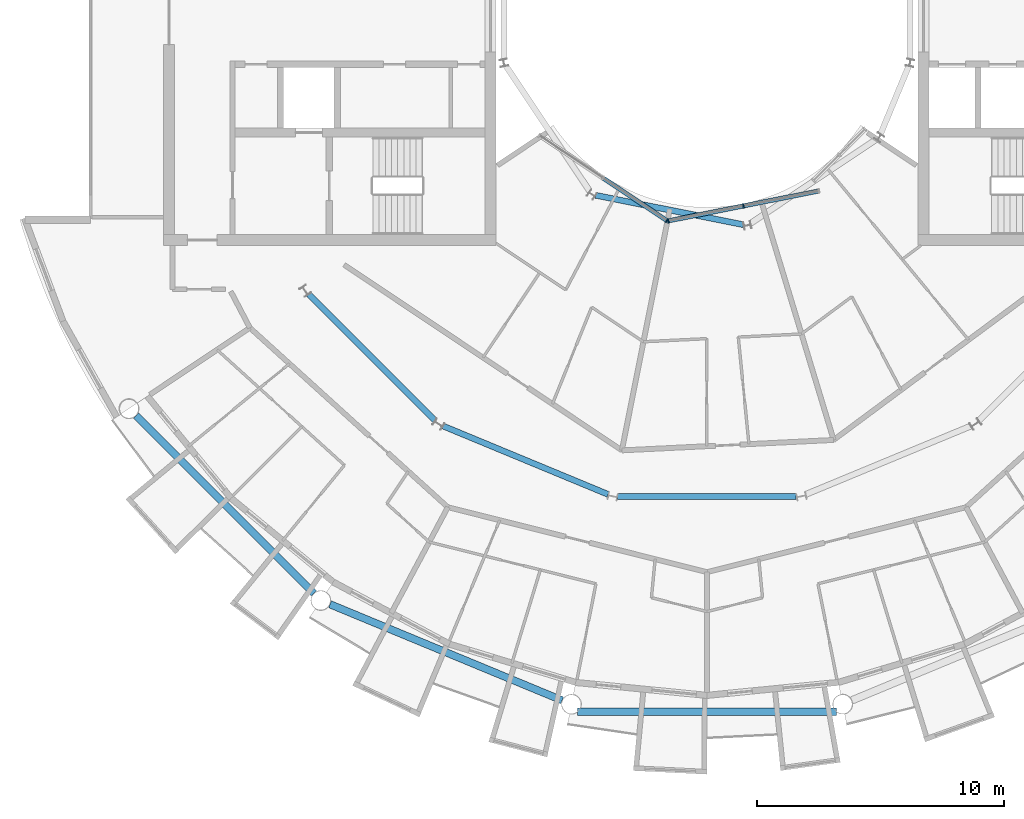
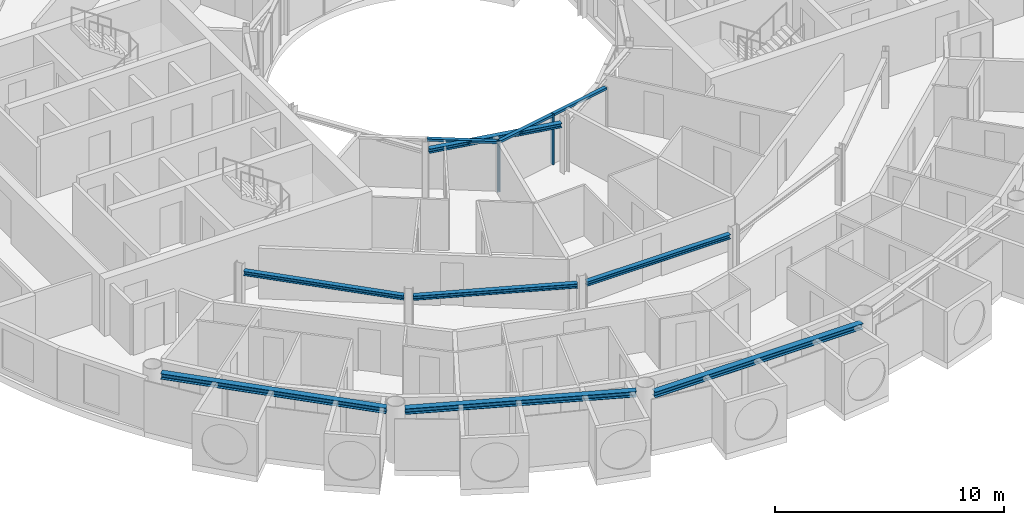
# One storey, part 6 of 29: 7 beams, 6 members, 2 elements without a shape of their own.
"""IFC4 building model written with IfcOpenShell, lengths in metres."""

import ifcopenshell
import ifcopenshell.guid

model = None  # the IFC model being written
_history = None  # IfcOwnerHistory: only IFC2X3 demands one
_inside = {}  # id of a spatial element -> (the spatial element, [elements in it])
_under = {}  # id of a project, library or spatial element -> (it, [spatial elements below it])
_declared = {}  # id of a project -> (the project, [libraries it declares])
_typed = {}  # id of a type object -> (the type object, [elements of that type])
_made_of = {}  # id of a material, layer set ... -> (it, [elements and type objects made of it])


def new_model(schema):
    """Start an empty IFC model of exactly this schema.

    Asked for "IFC4X3", IfcOpenShell would pick the latest addendum, in which some entities
    have other attributes; the version numbers below select the first issue.
    IFC2X3 requires an IfcOwnerHistory on every rooted entity: one is made here for all.
    """
    global model, _history
    if schema == "IFC4X3":
        model = ifcopenshell.file(schema_version=(4, 3, 0, 0))
    else:
        model = ifcopenshell.file(schema=schema)
    _inside.clear()
    _under.clear()
    _declared.clear()
    _typed.clear()
    _made_of.clear()
    _history = None
    if model.schema == "IFC2X3":
        org = make("IfcOrganization", Name="unknown")
        user = make(
            "IfcPersonAndOrganization",
            ThePerson=make("IfcPerson", FamilyName="unknown"),
            TheOrganization=org,
        )
        app = make(
            "IfcApplication",
            ApplicationDeveloper=org,
            Version="unknown",
            ApplicationFullName="unknown",
            ApplicationIdentifier="unknown",
        )
        _history = make(
            "IfcOwnerHistory",
            OwningUser=user,
            OwningApplication=app,
            ChangeAction="ADDED",
            CreationDate=0,
        )
    return model


def make(cls, **values):
    """One entity of the class cls with the attributes given. An attribute that is None is left unset."""
    return model.create_entity(
        cls, **{name: value for name, value in values.items() if value is not None}
    )


def rooted(cls, **values):
    """An entity with a GlobalId (a new one), such as an element, a storey or a relation."""
    return make(cls, GlobalId=ifcopenshell.guid.new(), OwnerHistory=_history, **values)


def si_unit(unit_type, name, prefix=None):
    """IfcSIUnit, for example si_unit("LENGTHUNIT", "METRE", prefix="MILLI")."""
    return make("IfcSIUnit", UnitType=unit_type, Prefix=prefix, Name=name)


def assignment(units):
    """IfcUnitAssignment: the units of a project."""
    return None if units is None else make("IfcUnitAssignment", Units=units)


def point(xyz):
    """IfcCartesianPoint."""
    return None if xyz is None else make("IfcCartesianPoint", Coordinates=xyz)


def direction(xyz):
    """IfcDirection."""
    return None if xyz is None else make("IfcDirection", DirectionRatios=xyz)


def frame(location, z_axis=None, x_axis=None):
    """IfcAxis2Placement3D, a coordinate frame: its origin and axes. An axis left out is left unset."""
    return make(
        "IfcAxis2Placement3D",
        Location=point(location),
        Axis=direction(z_axis),
        RefDirection=direction(x_axis),
    )


def frame_2d(location, x_axis=None):
    """IfcAxis2Placement2D, a coordinate frame in the plane: its origin and x axis."""
    return make(
        "IfcAxis2Placement2D", Location=point(location), RefDirection=direction(x_axis)
    )


def origin():
    """The frame at (0, 0, 0) with its axes left unset."""
    return frame((0.0, 0.0, 0.0))


def origin_2d():
    """The frame at (0, 0) in the plane with its x axis left unset."""
    return frame_2d((0.0, 0.0))


def place(relative_to, where):
    """IfcLocalPlacement: puts the frame where relative to a parent placement (None: the world)."""
    return make(
        "IfcLocalPlacement", PlacementRelTo=relative_to, RelativePlacement=where
    )


def context(
    kind, dimensions, precision=None, world=None, true_north=None, identifier=None
):
    """IfcGeometricRepresentationContext, for example the 3D "Model" context."""
    return make(
        "IfcGeometricRepresentationContext",
        ContextIdentifier=identifier,
        ContextType=kind,
        CoordinateSpaceDimension=dimensions,
        Precision=precision,
        WorldCoordinateSystem=world,
        TrueNorth=true_north,
    )


def subcontext(parent, identifier, kind, view, scale=None):
    """IfcGeometricRepresentationSubContext, for example "Body" below "Model"."""
    return make(
        "IfcGeometricRepresentationSubContext",
        ContextIdentifier=identifier,
        ContextType=kind,
        ParentContext=parent,
        TargetScale=scale,
        TargetView=view,
    )


def project(units=None, contexts=None):
    """IfcProject with its units and contexts."""
    return rooted(
        "IfcProject",
        Name="project",
        RepresentationContexts=contexts,
        UnitsInContext=assignment(units),
    )


def spatial(cls, under=None, at=None, **own):
    """A site, building, storey or space (cls), placed at a placement, below another one or the project."""
    s = rooted(cls, ObjectPlacement=at, **own)
    if under is not None:
        _under.setdefault(under.id(), (under, []))[1].append(s)
    return s


def profile(cls, at=None, kind="AREA", **sizes):
    """A parametric profile (cls). Its sizes go by their IFC names, for example OverallWidth=200.0."""
    return make(cls, ProfileType=kind, Position=at, **sizes)


def rectangle(**sizes):
    """IfcRectangleProfileDef."""
    return profile("IfcRectangleProfileDef", **sizes)


def i_section(**sizes):
    """IfcIShapeProfileDef."""
    return profile("IfcIShapeProfileDef", **sizes)


def extrude(swept, where, along, depth):
    """IfcExtrudedAreaSolid: the profile swept, set in the frame where, extruded along a direction by depth."""
    return make(
        "IfcExtrudedAreaSolid",
        SweptArea=swept,
        Position=where,
        ExtrudedDirection=direction(along),
        Depth=depth,
    )


def shape(context_of_items, identifier, shape_type, items):
    """IfcShapeRepresentation: the items that make up one representation, for example the "Body"."""
    return make(
        "IfcShapeRepresentation",
        ContextOfItems=context_of_items,
        RepresentationIdentifier=identifier,
        RepresentationType=shape_type,
        Items=items,
    )


def material(Name=None, Category=None):
    """IfcMaterial."""
    return make("IfcMaterial", Name=Name, Category=Category)


def layer(
    of_material, thickness, ventilated=None, Name=None, Category=None, Priority=None
):
    """IfcMaterialLayer: one layer of a wall or slab, of a material (None: an air gap)."""
    return make(
        "IfcMaterialLayer",
        Material=of_material,
        LayerThickness=thickness,
        IsVentilated=ventilated,
        Name=Name,
        Category=Category,
        Priority=Priority,
    )


def layer_set(layers, Name=None):
    """IfcMaterialLayerSet."""
    return make("IfcMaterialLayerSet", MaterialLayers=layers, LayerSetName=Name)


def material_profile(
    of_material, cross_section, Name=None, Category=None, Priority=None
):
    """IfcMaterialProfile: a cross section and its material."""
    return make(
        "IfcMaterialProfile",
        Name=Name,
        Material=of_material,
        Profile=cross_section,
        Priority=Priority,
        Category=Category,
    )


def profile_set(profiles, Name=None, composite=None):
    """IfcMaterialProfileSet."""
    return make(
        "IfcMaterialProfileSet",
        Name=Name,
        MaterialProfiles=profiles,
        CompositeProfile=composite,
    )


def made_of(thing, what):
    """Note that an element or type object is made of a material, layer set ...; save() writes the relation."""
    if what is not None:
        _made_of.setdefault(what.id(), (what, []))[1].append(thing)
    return thing


def type_object(cls, material=None, **own):
    """A type object (cls), such as IfcWallType, which elements share."""
    return made_of(rooted(cls, **own), material)


def element(
    cls,
    number,
    at=None,
    inside=None,
    cuts=None,
    type_object=None,
    material=None,
    context=None,
    identifier="Body",
    shape_type=None,
    held_by="IfcProductDefinitionShape",
    body=None,
    shapes=None,
    **own,
):
    """One element of the class cls, such as IfcWall. Its Tag is "e" and its number.

    at: its placement. inside: the storey or other place that contains it. cuts: it is an
    opening in that element (IfcRelVoidsElement). A single representation is given by context,
    identifier, shape_type and body (its items); several are given by shapes. held_by: the class
    of the entity that holds the representations. save() writes the other relations.
    """
    e = rooted(cls, Tag="e%d" % number, ObjectPlacement=at, **own)
    if body is not None:
        shapes = [shape(context, identifier, shape_type, body)]
    if shapes is not None:
        e.Representation = make(held_by, Representations=shapes)
    if inside is not None:
        _inside.setdefault(inside.id(), (inside, []))[1].append(e)
    if cuts is not None:
        rooted(
            "IfcRelVoidsElement", RelatingBuildingElement=cuts, RelatedOpeningElement=e
        )
    if type_object is not None:
        _typed.setdefault(type_object.id(), (type_object, []))[1].append(e)
    return made_of(e, material)


def aggregate(whole, parts):
    """IfcRelAggregates: a whole, such as a stair, and the parts it consists of."""
    return rooted("IfcRelAggregates", RelatingObject=whole, RelatedObjects=parts)


def save(model, path):
    """Write the relations noted so far, then the file.

    IfcRelAggregates (storeys below a building ...), IfcRelContainedInSpatialStructure (elements
    in a storey), IfcRelDefinesByType, IfcRelAssociatesMaterial and IfcRelDeclares: one each for
    every whole, place, type object, material and project.
    """
    for whole, parts in _under.values():
        aggregate(whole, parts)
    for where, things in _inside.values():
        rooted(
            "IfcRelContainedInSpatialStructure",
            RelatedElements=things,
            RelatingStructure=where,
        )
    for kind, things in _typed.values():
        rooted("IfcRelDefinesByType", RelatedObjects=things, RelatingType=kind)
    for what, things in _made_of.values():
        rooted("IfcRelAssociatesMaterial", RelatedObjects=things, RelatingMaterial=what)
    for by, libraries in _declared.values():
        rooted("IfcRelDeclares", RelatingContext=by, RelatedDefinitions=libraries)
    model.write(path)


model = new_model("IFC4")

# Units and contexts
model_context = context("Model", 3, precision=1e-05, world=origin(), true_north=direction((0.0, 1.0)))
body_context = subcontext(model_context, "Body", "Model", "MODEL_VIEW")
ifc_project = project(units=[si_unit("LENGTHUNIT", "METRE"), si_unit("AREAUNIT", "SQUARE_METRE"), si_unit("VOLUMEUNIT", "CUBIC_METRE"), si_unit("PLANEANGLEUNIT", "RADIAN"), si_unit("MASSUNIT", "GRAM", prefix="KILO")], contexts=[model_context])

# Site, building, storey
site_placement = place(None, origin())
site = spatial("IfcSite", under=ifc_project, at=site_placement, CompositionType="ELEMENT")
building_placement = place(site_placement, origin())
building = spatial("IfcBuilding", under=site, at=building_placement, Name="Maasbend Ring Residences", CompositionType="ELEMENT")
storey_placement = place(building_placement, frame((0.0, 0.0, 193.25)))
storey = spatial("IfcBuildingStorey", under=building, at=storey_placement, Name="L55", CompositionType="ELEMENT", Elevation=193.25)

# Curtain wall, member
ifc_material_1 = material(Name="Aluminium and clear glass", Category="aluminium")
ifc_layer = layer(ifc_material_1, 0.179931640625)
ifc_layer_set = layer_set([ifc_layer], Name="CW-W")
curtain_wall_type = type_object("IfcCurtainWallType", Name="CW-W", PredefinedType="NOTDEFINED", material=ifc_layer_set)
curtain_wall_1_placement = place(storey_placement, origin())
curtain_wall_1 = element("IfcCurtainWall", 1, at=curtain_wall_1_placement, inside=storey, type_object=curtain_wall_type, Name="Well curtain wall S1", PredefinedType="NOTDEFINED")
ifc_material_2 = material(Name="Aluminium 6063-T6", Category="aluminium")
ifc_material_profile_1 = material_profile(ifc_material_2, rectangle(XDim=0.179931640625, YDim=0.06005859375, at=origin_2d()), Name="AL 180x60")
ifc_profile_set_1 = profile_set([ifc_material_profile_1], Name="Aluminium 6063-T6")
member_type_1 = type_object("IfcMemberType", Name="CWM-W", PredefinedType="MULLION", material=ifc_profile_set_1)
member_1_placement = place(storey_placement, frame((-1.627685546875, -8.040771484375, 0.0), z_axis=(0.0, 0.0, 1.0), x_axis=(0.55557023302, 0.831469612303, 0.0)))
member_1 = element("IfcMember", 2, at=member_1_placement, type_object=member_type_1, Name="Mullion well face", PredefinedType="MULLION", context=body_context, shape_type="SweptSolid", body=[
    extrude(rectangle(XDim=0.179931640625, YDim=0.06005859375, at=origin_2d()), origin(), (0.0, 0.0, 1.0), 2.699951171875),
])

# Curtain wall, members
curtain_wall_2_placement = place(storey_placement, origin())
curtain_wall_2 = element("IfcCurtainWall", 3, at=curtain_wall_2_placement, inside=storey, type_object=curtain_wall_type, Name="Well curtain wall S2", PredefinedType="NOTDEFINED")
member_2_placement = place(storey_placement, frame((-1.5732421875, -8.0517578125, 0.0), z_axis=(0.0, 0.0, 1.0), x_axis=(-0.195090322016, 0.980785280403, 0.0)))
member_2 = element("IfcMember", 4, at=member_2_placement, type_object=member_type_1, Name="Mullion well face", PredefinedType="MULLION", context=body_context, shape_type="SweptSolid", body=[
    extrude(rectangle(XDim=0.179931640625, YDim=0.06005859375, at=origin_2d()), origin(), (0.0, 0.0, 1.0), 2.699951171875),
])
member_3_placement = place(storey_placement, frame((1.480712890625, -7.444091796875, 0.0), z_axis=(0.0, 0.0, 1.0), x_axis=(-0.195090322016, 0.980785280403, 0.0)))
member_3 = element("IfcMember", 5, at=member_3_placement, type_object=member_type_1, Name="Mullion well face", PredefinedType="MULLION", context=body_context, shape_type="SweptSolid", body=[
    extrude(rectangle(XDim=0.179931640625, YDim=0.06005859375, at=origin_2d()), origin(), (0.0, 0.0, 1.0), 2.699951171875),
])

# Member
ifc_material_3 = material(Name="Aluminium 6063-T6", Category="aluminium")
ifc_material_profile_2 = material_profile(ifc_material_3, rectangle(XDim=0.179931640625, YDim=0.1201171875, at=origin_2d()), Name="AL 180x120")
ifc_profile_set_2 = profile_set([ifc_material_profile_2], Name="Aluminium 6063-T6")
member_type_2 = type_object("IfcMemberType", Name="CWT-W", PredefinedType="USERDEFINED", material=ifc_profile_set_2)
member_4_placement = place(storey_placement, frame((-4.19189453125, -6.32763671875, 2.639892578125), z_axis=(0.831496422459, -0.555530106689, 0.0), x_axis=(0.555530106689, 0.831496422459, 0.0)))
member_4 = element("IfcMember", 6, at=member_4_placement, type_object=member_type_2, Name="Transom well face", ObjectType="TRANSOM", PredefinedType="USERDEFINED", context=body_context, shape_type="SweptSolid", body=[
    extrude(rectangle(XDim=0.179931640625, YDim=0.1201171875, at=origin_2d()), origin(), (0.0, 0.0, 1.0), 3.053955078125),
])

aggregate(curtain_wall_1, [member_1, member_4])

member_5_placement = place(storey_placement, frame((-1.5439453125, -8.0458984375, 2.639892578125), z_axis=(0.980776956105, 0.195132166424, 0.0), x_axis=(-0.195132166424, 0.980776956105, 0.0)))
member_5 = element("IfcMember", 7, at=member_5_placement, type_object=member_type_2, Name="Transom well face", ObjectType="TRANSOM", PredefinedType="USERDEFINED", context=body_context, shape_type="SweptSolid", body=[
    extrude(rectangle(XDim=0.179931640625, YDim=0.1201171875, at=origin_2d()), origin(), (0.0, 0.0, 1.0), 3.053955078125),
])

member_6_placement = place(storey_placement, frame((1.51025390625, -7.438232421875, 2.639892578125), z_axis=(0.980789210404, 0.19507056353, 0.0), x_axis=(-0.19507056353, 0.980789210404, 0.0)))
member_6 = element("IfcMember", 8, at=member_6_placement, type_object=member_type_2, Name="Transom well face", ObjectType="TRANSOM", PredefinedType="USERDEFINED", context=body_context, shape_type="SweptSolid", body=[
    extrude(rectangle(XDim=0.179931640625, YDim=0.1201171875, at=origin_2d()), origin(), (0.0, 0.0, 1.0), 3.0537109375),
])

aggregate(curtain_wall_2, [member_2, member_3, member_5, member_6])

# Beams
ifc_material_4 = material(Name="Steel S355J2", Category="steel")
ifc_material_profile_3 = material_profile(ifc_material_4, i_section(OverallWidth=0.239990234375, OverallDepth=0.22998046875, WebThickness=0.007568359375, FlangeThickness=0.011962890625, FilletRadius=0.02099609375, at=origin_2d()), Name="HEA 240")
ifc_profile_set_3 = profile_set([ifc_material_profile_3], Name="Steel S355J2")
beam_type_1 = type_object("IfcBeamType", Name="Corridor ring beam HEA 240", PredefinedType="BEAM", material=ifc_profile_set_3)
beam_1_placement = place(storey_placement, frame((-16.152587890625, -11.033447265625, 2.5849609375), z_axis=(0.707106781187, -0.707106781187, 0.0), x_axis=(0.707106781187, 0.707106781187, 0.0)))
element("IfcBeam", 9, at=beam_1_placement, inside=storey, type_object=beam_type_1, Name="Corridor ring beam", PredefinedType="BEAM", context=body_context, shape_type="SweptSolid", body=[
    extrude(i_section(OverallWidth=0.239990234375, OverallDepth=0.22998046875, WebThickness=0.007568359375, FlangeThickness=0.011962890625, FilletRadius=0.02099609375, at=origin_2d()), origin(), (0.0, 0.0, 1.0), 7.239501953125),
])
for number, where, z_axis, x_axis, name in (
    (10, (-10.70068359375, -16.374755859375, 2.5849609375), (0.923865162022, -0.382718123952, 0.0), (0.382718123952, 0.923865162022, 0.0), "Corridor ring beam"),
    (11, (-3.619873046875, -19.223388671875, 2.5849609375), (1.0, 0.0, 0.0), (0.0, 1.0, 0.0), "Corridor ring beam"),
):
    element("IfcBeam", number, at=place(storey_placement, frame(where, z_axis=z_axis, x_axis=x_axis)), inside=storey, type_object=beam_type_1, Name=name, PredefinedType="BEAM", context=body_context, shape_type="SweptSolid", body=[
        extrude(i_section(OverallWidth=0.239990234375, OverallDepth=0.22998046875, WebThickness=0.007568359375, FlangeThickness=0.011962890625, FilletRadius=0.02099609375, at=origin_2d()), origin(), (0.0, 0.0, 1.0), 7.23974609375),
    ])
ifc_material_5 = material(Name="Steel S355J2", Category="steel")
ifc_material_profile_4 = material_profile(ifc_material_5, i_section(OverallWidth=0.300048828125, OverallDepth=0.300048828125, WebThickness=0.010986328125, FlangeThickness=0.01904296875, FilletRadius=0.027099609375, at=origin_2d()), Name="HEB 300")
ifc_profile_set_4 = profile_set([ifc_material_profile_4], Name="Steel S355J2")
beam_type_2 = type_object("IfcBeamType", Name="Spandrel ring beam HEB 300", PredefinedType="SPANDREL", material=ifc_profile_set_4)
for number, where, z_axis, x_axis, name in (
    (12, (-23.159912109375, -15.95458984375, 2.550048828125), (0.707106781187, -0.707106781187, 0.0), (0.707106781187, 0.707106781187, 0.0), "Spandrel ring beam"),
    (13, (-15.29150390625, -23.60302734375, 2.550048828125), (0.923883676188, -0.382673428492, 0.0), (0.382673428492, 0.923883676188, 0.0), "Spandrel ring beam"),
):
    element("IfcBeam", number, at=place(storey_placement, frame(where, z_axis=z_axis, x_axis=x_axis)), inside=storey, type_object=beam_type_2, Name=name, PredefinedType="SPANDREL", context=body_context, shape_type="SweptSolid", body=[
        extrude(i_section(OverallWidth=0.300048828125, OverallDepth=0.300048828125, WebThickness=0.010986328125, FlangeThickness=0.01904296875, FilletRadius=0.027099609375, at=origin_2d()), origin(), (0.0, 0.0, 1.0), 10.18994140625),
    ])
beam_2_placement = place(storey_placement, frame((-5.2451171875, -27.9580078125, 2.550048828125), z_axis=(1.0, 0.0, 0.0), x_axis=(0.0, 1.0, 0.0)))
element("IfcBeam", 14, at=beam_2_placement, inside=storey, type_object=beam_type_2, Name="Spandrel ring beam", PredefinedType="SPANDREL", context=body_context, shape_type="SweptSolid", body=[
    extrude(i_section(OverallWidth=0.300048828125, OverallDepth=0.300048828125, WebThickness=0.010986328125, FlangeThickness=0.01904296875, FilletRadius=0.027099609375, at=origin_2d()), origin(), (0.0, 0.0, 1.0), 10.490234375),
])
ifc_material_6 = material(Name="Steel S355J2", Category="steel")
ifc_material_profile_5 = material_profile(ifc_material_6, i_section(OverallWidth=0.239990234375, OverallDepth=0.22998046875, WebThickness=0.007568359375, FlangeThickness=0.011962890625, FilletRadius=0.02099609375, at=origin_2d()), Name="HEA 240")
ifc_profile_set_5 = profile_set([ifc_material_profile_5], Name="Steel S355J2")
beam_type_3 = type_object("IfcBeamType", Name="Well edge beam HEA 240", PredefinedType="BEAM", material=ifc_profile_set_5)
beam_3_placement = place(storey_placement, frame((-4.512939453125, -7.014892578125, 2.5849609375), z_axis=(0.980782836869, -0.195102606089, 0.0), x_axis=(0.195102606089, 0.980782836869, 0.0)))
element("IfcBeam", 15, at=beam_3_placement, inside=storey, type_object=beam_type_3, Name="Well edge beam", PredefinedType="BEAM", context=body_context, shape_type="SweptSolid", body=[
    extrude(i_section(OverallWidth=0.239990234375, OverallDepth=0.22998046875, WebThickness=0.007568359375, FlangeThickness=0.011962890625, FilletRadius=0.02099609375, at=origin_2d()), origin(), (0.0, 0.0, 1.0), 6.115234375),
])

save(model, "model.ifc")
